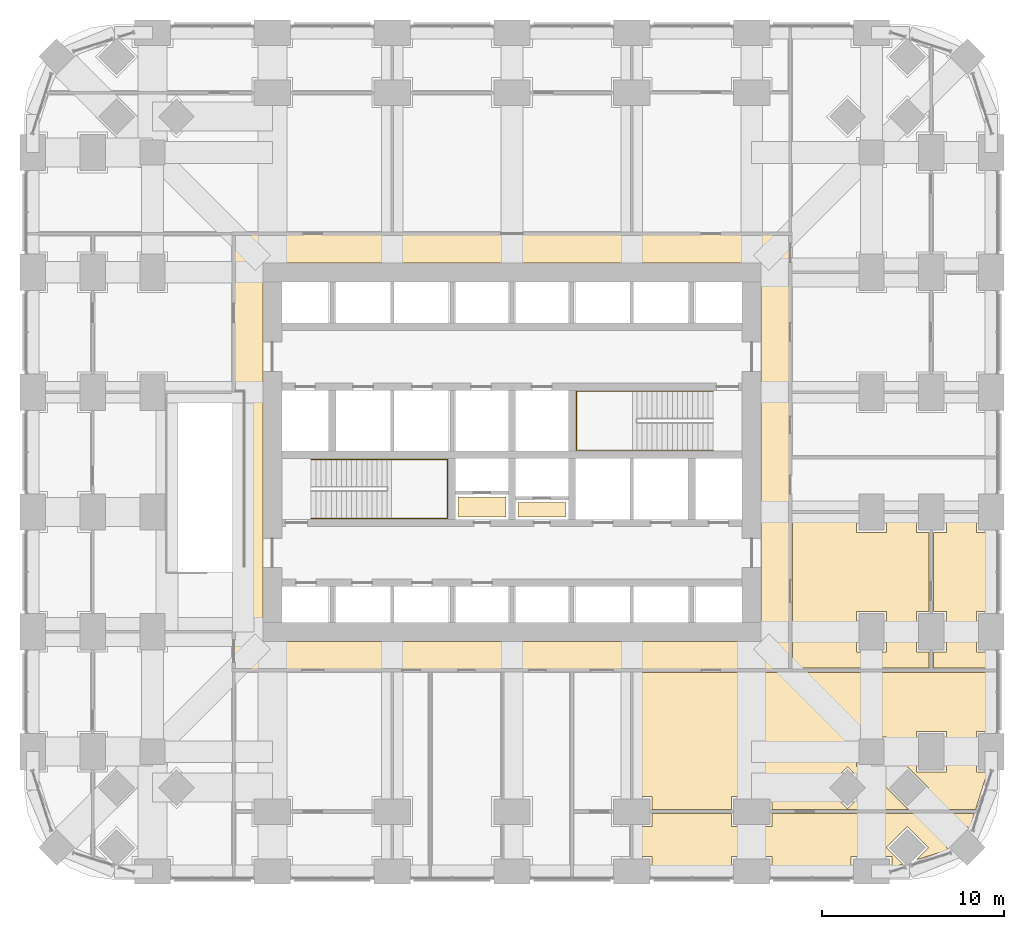
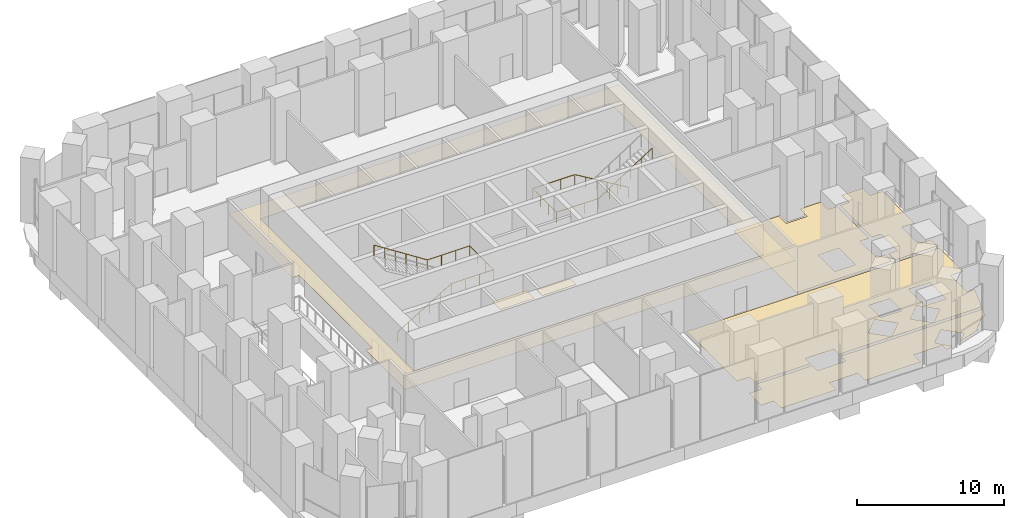
# One storey, part 16 of 17: 7 coverings, 2 railings.
"""IFC4 building model written with IfcOpenShell, lengths in metres."""

from ifc_helpers import new_model, si_unit, direction, frame, origin, place, context, subcontext, project, spatial, polyline, outline, extrude, material, layer, layer_set, type_object, element, save


model = new_model("IFC4")

# Units and contexts
model_context = context("Model", 3, precision=1e-05, world=origin(), true_north=direction((0.0, 1.0)))
body_context = subcontext(model_context, "Body", "Model", "MODEL_VIEW")
ifc_project = project(units=[si_unit("LENGTHUNIT", "METRE"), si_unit("AREAUNIT", "SQUARE_METRE"), si_unit("VOLUMEUNIT", "CUBIC_METRE"), si_unit("PLANEANGLEUNIT", "RADIAN"), si_unit("MASSUNIT", "GRAM", prefix="KILO")], contexts=[model_context])

# Site, building, storey
site_placement = place(None, origin())
site = spatial("IfcSite", under=ifc_project, at=site_placement, CompositionType="ELEMENT")
building_placement = place(site_placement, origin())
building = spatial("IfcBuilding", under=site, at=building_placement, Name="Cobogo Forest Laboratory Tower", CompositionType="ELEMENT")
storey_placement = place(building_placement, frame((0.0, 0.0, 7.199951171875)))
storey = spatial("IfcBuildingStorey", under=building, at=storey_placement, Name="L01", CompositionType="ELEMENT", Elevation=7.199951171875)

# Coverings
ifc_material_1 = material(Name="Mineral fibre ceiling tile", Category="ceiling")
ifc_layer_1 = layer(ifc_material_1, 0.02001953125)
ifc_layer_set_1 = layer_set([ifc_layer_1], Name="CL1 suspended ceiling")
covering_type_1 = type_object("IfcCoveringType", Name="CL1 suspended ceiling", PredefinedType="CEILING", material=ifc_layer_set_1)
covering_1_placement = place(storey_placement, frame((0.0, 0.0, 2.800048828125)))
element("IfcCovering", 1, at=covering_1_placement, inside=storey, type_object=covering_type_1, Name="Corridor ceiling L01", PredefinedType="CEILING", context=body_context, shape_type="SweptSolid", body=[
    extrude(outline(polyline([(11.074951171875, 16.5), (11.60009765625, 16.5), (11.60009765625, 26.39990234375), (11.074951171875, 26.39990234375), (11.074951171875, 35.125), (41.72509765625, 35.125), (41.72509765625, 11.074951171875), (11.074951171875, 11.074951171875), (11.074951171875, 16.5)]), holes=[polyline([(12.675048828125, 33.52490234375), (12.675048828125, 12.675048828125), (40.125, 12.675048828125), (40.125, 33.52490234375), (12.675048828125, 33.52490234375)])]), origin(), (0.0, 0.0, 1.0), 0.02001953125),
])
ifc_material_2 = material(Name="Carpet tile on raised access floor", Category="flooring")
ifc_layer_2 = layer(ifc_material_2, 0.008056640625)
ifc_layer_set_2 = layer_set([ifc_layer_2], Name="CT1 carpet tile floor 8")
covering_type_2 = type_object("IfcCoveringType", Name="CT1 carpet tile floor 8", PredefinedType="FLOORING", material=ifc_layer_set_2)
covering_2_placement = place(storey_placement, origin())
element("IfcCovering", 2, at=covering_2_placement, inside=storey, type_object=covering_type_2, Name="Carpet floor L01-09", PredefinedType="FLOORING", context=body_context, shape_type="SweptSolid", body=[
    extrude(outline(polyline([(38.47998046875, 3.179931640625), (38.47998046875, 2.47998046875), (40.719970703125, 2.47998046875), (40.719970703125, 3.179931640625), (51.8603515625, 3.179931640625), (51.600830078125, 2.358642578125), (51.48193359375, 2.477783203125), (50.322265625, 1.318115234375), (50.441162109375, 1.19921875), (48.660400390625, 0.63671875), (49.341552734375, 1.318115234375), (48.181884765625, 2.477783203125), (47.022216796875, 1.318115234375), (47.933349609375, 0.406982421875), (47.320068359375, 0.21337890625), (47.320068359375, 0.820068359375), (45.080078125, 0.820068359375), (45.080078125, -0.14990234375), (40.719970703125, -0.14990234375), (40.719970703125, 0.820068359375), (38.47998046875, 0.820068359375), (38.47998046875, -0.14990234375), (34.1201171875, -0.14990234375), (34.1201171875, 0.820068359375), (33.1201171875, 0.820068359375), (33.1201171875, 2.47998046875), (34.1201171875, 2.47998046875), (34.1201171875, 3.179931640625), (38.47998046875, 3.179931640625)])), origin(), (0.0, 0.0, 1.0), 0.008056640625),
])
covering_3_placement = place(storey_placement, origin())
element("IfcCovering", 3, at=covering_3_placement, inside=storey, type_object=covering_type_2, Name="Carpet floor L01-11", PredefinedType="FLOORING", context=body_context, shape_type="SweptSolid", body=[
    extrude(outline(polyline([(49.6201171875, 12.080078125), (50.320068359375, 12.080078125), (50.320068359375, 14.320068359375), (49.6201171875, 14.320068359375), (49.6201171875, 18.679931640625), (50.320068359375, 18.679931640625), (50.320068359375, 19.679931640625), (51.97998046875, 19.679931640625), (51.97998046875, 18.679931640625), (52.949951171875, 18.679931640625), (52.949951171875, 14.320068359375), (51.97998046875, 14.320068359375), (51.97998046875, 12.080078125), (52.949951171875, 12.080078125), (52.949951171875, 11.195068359375), (49.6201171875, 11.195068359375), (49.6201171875, 12.080078125)])), origin(), (0.0, 0.0, 1.0), 0.008056640625),
])
covering_4_placement = place(storey_placement, origin())
element("IfcCovering", 4, at=covering_4_placement, inside=storey, type_object=covering_type_2, Name="Carpet floor L01-34", PredefinedType="FLOORING", context=body_context, shape_type="SweptSolid", body=[
    extrude(outline(polyline([(26.080078125, 19.52001953125), (23.419921875, 19.52001953125), (23.419921875, 20.6298828125), (26.080078125, 20.6298828125), (26.080078125, 19.52001953125)])), origin(), (0.0, 0.0, 1.0), 0.008056640625),
])
covering_5_placement = place(storey_placement, origin())
element("IfcCovering", 5, at=covering_5_placement, inside=storey, type_object=covering_type_2, Name="Carpet floor L01-36", PredefinedType="FLOORING", context=body_context, shape_type="SweptSolid", body=[
    extrude(outline(polyline([(29.3798828125, 19.52001953125), (26.719970703125, 19.52001953125), (26.719970703125, 20.330078125), (29.3798828125, 20.330078125), (29.3798828125, 19.52001953125)])), origin(), (0.0, 0.0, 1.0), 0.008056640625),
])

# Railings
ifc_material_3 = material(Name="Stainless steel handrail", Category="steel")
railing_type = type_object("IfcRailingType", Name="HR handrail 900", PredefinedType="HANDRAIL", material=ifc_material_3)
railing_1_placement = place(storey_placement, frame((15.324951171875, 19.449951171875, 0.168701171875)))
element("IfcRailing", 6, at=railing_1_placement, inside=storey, type_object=railing_type, Name="Stair handrail ST1 L01", PredefinedType="HANDRAIL", context=body_context, shape_type="SweptSolid", body=[
    extrude(outline(polyline([(0.022216796875, 0.00927734375), (0.00927734375, 0.022216796875), (-0.00927734375, 0.022216796875), (-0.022216796875, 0.00927734375), (-0.022216796875, -0.00927734375), (-0.00927734375, -0.022216796875), (0.00927734375, -0.022216796875), (0.022216796875, -0.00927734375), (0.022216796875, 0.00927734375)])), frame((0.0, 0.0, 0.877685546875), z_axis=(0.856476492594, 0.0, 0.516186030065), x_axis=(0.0, 1.0, 0.0)), (0.0, 0.0, 1.0), 4.90380859375),
    extrude(outline(polyline([(0.022216796875, 0.00927734375), (0.00927734375, 0.022216796875), (-0.00927734375, 0.022216796875), (-0.022216796875, 0.00927734375), (-0.022216796875, -0.00927734375), (-0.00927734375, -0.022216796875), (0.00927734375, -0.022216796875), (0.022216796875, -0.00927734375), (0.022216796875, 0.00927734375)])), frame((4.199951171875, 0.0, 3.408935546875), z_axis=(1.0, 0.0, 0.0), x_axis=(0.0, 1.0, 0.0)), (0.0, 0.0, 1.0), 3.3251953125),
    extrude(outline(polyline([(0.022216796875, 0.00927734375), (0.00927734375, 0.022216796875), (-0.00927734375, 0.022216796875), (-0.022216796875, 0.00927734375), (-0.022216796875, -0.00927734375), (-0.00927734375, -0.022216796875), (0.00927734375, -0.022216796875), (0.022216796875, -0.00927734375), (0.022216796875, 0.00927734375)])), frame((7.525146484375, 0.0, 3.408935546875), z_axis=(0.0, 1.0, 0.0), x_axis=(-1.0, 0.0, 0.0)), (0.0, 0.0, 1.0), 3.25),
    extrude(outline(polyline([(0.022216796875, 0.00927734375), (0.00927734375, 0.022216796875), (-0.00927734375, 0.022216796875), (-0.022216796875, 0.00927734375), (-0.022216796875, -0.00927734375), (-0.00927734375, -0.022216796875), (0.00927734375, -0.022216796875), (0.022216796875, -0.00927734375), (0.022216796875, 0.00927734375)])), frame((7.525146484375, 3.25, 3.408935546875), z_axis=(-1.0, 0.0, 0.0), x_axis=(0.0, -1.0, 0.0)), (0.0, 0.0, 1.0), 3.3251953125),
    extrude(outline(polyline([(0.022216796875, 0.00927734375), (0.00927734375, 0.022216796875), (-0.00927734375, 0.022216796875), (-0.022216796875, 0.00927734375), (-0.022216796875, -0.00927734375), (-0.00927734375, -0.022216796875), (0.00927734375, -0.022216796875), (0.022216796875, -0.00927734375), (0.022216796875, 0.00927734375)])), frame((4.199951171875, 3.25, 3.408935546875), z_axis=(-0.841157821942, 0.0, 0.54078971753), x_axis=(0.0, -1.0, 0.0)), (0.0, 0.0, 1.0), 4.9931640625),
    extrude(outline(polyline([(0.019287109375, 0.008056640625), (0.008056640625, 0.019287109375), (-0.008056640625, 0.019287109375), (-0.019287109375, 0.008056640625), (-0.019287109375, -0.008056640625), (-0.008056640625, -0.019287109375), (0.008056640625, -0.019287109375), (0.019287109375, -0.008056640625), (0.019287109375, 0.008056640625)])), origin(), (0.0, 0.0, 1.0), 0.877685546875),
    extrude(outline(polyline([(0.019287109375, 0.008056640625), (0.008056640625, 0.019287109375), (-0.008056640625, 0.019287109375), (-0.019287109375, 0.008056640625), (-0.019287109375, -0.008056640625), (-0.008056640625, -0.019287109375), (0.008056640625, -0.019287109375), (0.019287109375, -0.008056640625), (0.019287109375, 0.008056640625)])), frame((0.840087890625, 0.0, 0.50634765625)), (0.0, 0.0, 1.0), 0.877685546875),
    extrude(outline(polyline([(0.019287109375, 0.008056640625), (0.008056640625, 0.019287109375), (-0.008056640625, 0.019287109375), (-0.019287109375, 0.008056640625), (-0.019287109375, -0.008056640625), (-0.008056640625, -0.019287109375), (0.008056640625, -0.019287109375), (0.019287109375, -0.008056640625), (0.019287109375, 0.008056640625)])), frame((1.679931640625, 0.0, 1.012451171875)), (0.0, 0.0, 1.0), 0.877685546875),
    extrude(outline(polyline([(0.019287109375, 0.008056640625), (0.008056640625, 0.019287109375), (-0.008056640625, 0.019287109375), (-0.019287109375, 0.008056640625), (-0.019287109375, -0.008056640625), (-0.008056640625, -0.019287109375), (0.008056640625, -0.019287109375), (0.019287109375, -0.008056640625), (0.019287109375, 0.008056640625)])), frame((2.52001953125, 0.0, 1.518798828125)), (0.0, 0.0, 1.0), 0.877685546875),
    extrude(outline(polyline([(0.019287109375, 0.008056640625), (0.008056640625, 0.019287109375), (-0.008056640625, 0.019287109375), (-0.019287109375, 0.008056640625), (-0.019287109375, -0.008056640625), (-0.008056640625, -0.019287109375), (0.008056640625, -0.019287109375), (0.019287109375, -0.008056640625), (0.019287109375, 0.008056640625)])), frame((3.35986328125, 0.0, 2.02490234375)), (0.0, 0.0, 1.0), 0.877685546875),
    extrude(outline(polyline([(0.019287109375, 0.008056640625), (0.008056640625, 0.019287109375), (-0.008056640625, 0.019287109375), (-0.019287109375, 0.008056640625), (-0.019287109375, -0.008056640625), (-0.008056640625, -0.019287109375), (0.008056640625, -0.019287109375), (0.019287109375, -0.008056640625), (0.019287109375, 0.008056640625)])), frame((4.199951171875, 0.0, 2.53125)), (0.0, 0.0, 1.0), 0.877685546875),
    extrude(outline(polyline([(0.019287109375, 0.008056640625), (0.008056640625, 0.019287109375), (-0.008056640625, 0.019287109375), (-0.019287109375, 0.008056640625), (-0.019287109375, -0.008056640625), (-0.008056640625, -0.019287109375), (0.008056640625, -0.019287109375), (0.019287109375, -0.008056640625), (0.019287109375, 0.008056640625)])), frame((5.308349609375, 0.0, 2.53125)), (0.0, 0.0, 1.0), 0.877685546875),
    extrude(outline(polyline([(0.019287109375, 0.008056640625), (0.008056640625, 0.019287109375), (-0.008056640625, 0.019287109375), (-0.019287109375, 0.008056640625), (-0.019287109375, -0.008056640625), (-0.008056640625, -0.019287109375), (0.008056640625, -0.019287109375), (0.019287109375, -0.008056640625), (0.019287109375, 0.008056640625)])), frame((6.416748046875, 0.0, 2.53125)), (0.0, 0.0, 1.0), 0.877685546875),
    extrude(outline(polyline([(0.019287109375, 0.008056640625), (0.008056640625, 0.019287109375), (-0.008056640625, 0.019287109375), (-0.019287109375, 0.008056640625), (-0.019287109375, -0.008056640625), (-0.008056640625, -0.019287109375), (0.008056640625, -0.019287109375), (0.019287109375, -0.008056640625), (0.019287109375, 0.008056640625)])), frame((7.525146484375, 0.0, 2.53125)), (0.0, 0.0, 1.0), 0.877685546875),
    extrude(outline(polyline([(0.019287109375, 0.008056640625), (0.008056640625, 0.019287109375), (-0.008056640625, 0.019287109375), (-0.019287109375, 0.008056640625), (-0.019287109375, -0.008056640625), (-0.008056640625, -0.019287109375), (0.008056640625, -0.019287109375), (0.019287109375, -0.008056640625), (0.019287109375, 0.008056640625)])), frame((7.525146484375, 1.083251953125, 2.53125)), (0.0, 0.0, 1.0), 0.877685546875),
    extrude(outline(polyline([(0.019287109375, 0.008056640625), (0.008056640625, 0.019287109375), (-0.008056640625, 0.019287109375), (-0.019287109375, 0.008056640625), (-0.019287109375, -0.008056640625), (-0.008056640625, -0.019287109375), (0.008056640625, -0.019287109375), (0.019287109375, -0.008056640625), (0.019287109375, 0.008056640625)])), frame((7.525146484375, 2.166748046875, 2.53125)), (0.0, 0.0, 1.0), 0.877685546875),
    extrude(outline(polyline([(0.019287109375, 0.008056640625), (0.008056640625, 0.019287109375), (-0.008056640625, 0.019287109375), (-0.019287109375, 0.008056640625), (-0.019287109375, -0.008056640625), (-0.008056640625, -0.019287109375), (0.008056640625, -0.019287109375), (0.019287109375, -0.008056640625), (0.019287109375, 0.008056640625)])), frame((7.525146484375, 3.25, 2.53125)), (0.0, 0.0, 1.0), 0.877685546875),
    extrude(outline(polyline([(0.019287109375, 0.008056640625), (0.008056640625, 0.019287109375), (-0.008056640625, 0.019287109375), (-0.019287109375, 0.008056640625), (-0.019287109375, -0.008056640625), (-0.008056640625, -0.019287109375), (0.008056640625, -0.019287109375), (0.019287109375, -0.008056640625), (0.019287109375, 0.008056640625)])), frame((6.416748046875, 3.25, 2.53125)), (0.0, 0.0, 1.0), 0.877685546875),
    extrude(outline(polyline([(0.019287109375, 0.008056640625), (0.008056640625, 0.019287109375), (-0.008056640625, 0.019287109375), (-0.019287109375, 0.008056640625), (-0.019287109375, -0.008056640625), (-0.008056640625, -0.019287109375), (0.008056640625, -0.019287109375), (0.019287109375, -0.008056640625), (0.019287109375, 0.008056640625)])), frame((5.308349609375, 3.25, 2.53125)), (0.0, 0.0, 1.0), 0.877685546875),
    extrude(outline(polyline([(0.019287109375, 0.008056640625), (0.008056640625, 0.019287109375), (-0.008056640625, 0.019287109375), (-0.019287109375, 0.008056640625), (-0.019287109375, -0.008056640625), (-0.008056640625, -0.019287109375), (0.008056640625, -0.019287109375), (0.019287109375, -0.008056640625), (0.019287109375, 0.008056640625)])), frame((4.199951171875, 3.25, 2.53125)), (0.0, 0.0, 1.0), 0.877685546875),
    extrude(outline(polyline([(0.019287109375, 0.008056640625), (0.008056640625, 0.019287109375), (-0.008056640625, 0.019287109375), (-0.019287109375, 0.008056640625), (-0.019287109375, -0.008056640625), (-0.008056640625, -0.019287109375), (0.008056640625, -0.019287109375), (0.019287109375, -0.008056640625), (0.019287109375, 0.008056640625)])), frame((3.35986328125, 3.25, 3.0712890625)), (0.0, 0.0, 1.0), 0.877685546875),
    extrude(outline(polyline([(0.019287109375, 0.008056640625), (0.008056640625, 0.019287109375), (-0.008056640625, 0.019287109375), (-0.019287109375, 0.008056640625), (-0.019287109375, -0.008056640625), (-0.008056640625, -0.019287109375), (0.008056640625, -0.019287109375), (0.019287109375, -0.008056640625), (0.019287109375, 0.008056640625)])), frame((2.52001953125, 3.25, 3.611328125)), (0.0, 0.0, 1.0), 0.877685546875),
    extrude(outline(polyline([(0.019287109375, 0.008056640625), (0.008056640625, 0.019287109375), (-0.008056640625, 0.019287109375), (-0.019287109375, 0.008056640625), (-0.019287109375, -0.008056640625), (-0.008056640625, -0.019287109375), (0.008056640625, -0.019287109375), (0.019287109375, -0.008056640625), (0.019287109375, 0.008056640625)])), frame((1.679931640625, 3.25, 4.1513671875)), (0.0, 0.0, 1.0), 0.877685546875),
    extrude(outline(polyline([(0.019287109375, 0.008056640625), (0.008056640625, 0.019287109375), (-0.008056640625, 0.019287109375), (-0.019287109375, 0.008056640625), (-0.019287109375, -0.008056640625), (-0.008056640625, -0.019287109375), (0.008056640625, -0.019287109375), (0.019287109375, -0.008056640625), (0.019287109375, 0.008056640625)])), frame((0.840087890625, 3.25, 4.69140625)), (0.0, 0.0, 1.0), 0.877685546875),
    extrude(outline(polyline([(0.019287109375, 0.008056640625), (0.008056640625, 0.019287109375), (-0.008056640625, 0.019287109375), (-0.019287109375, 0.008056640625), (-0.019287109375, -0.008056640625), (-0.008056640625, -0.019287109375), (0.008056640625, -0.019287109375), (0.019287109375, -0.008056640625), (0.019287109375, 0.008056640625)])), frame((0.0, 3.25, 5.2314453125)), (0.0, 0.0, 1.0), 0.877685546875),
])
railing_2_placement = place(storey_placement, frame((37.47509765625, 26.449951171875, 0.168701171875)))
element("IfcRailing", 7, at=railing_2_placement, inside=storey, type_object=railing_type, Name="Stair handrail ST2 L01", PredefinedType="HANDRAIL", context=body_context, shape_type="SweptSolid", body=[
    extrude(outline(polyline([(0.022216796875, 0.00927734375), (0.00927734375, 0.022216796875), (-0.00927734375, 0.022216796875), (-0.022216796875, 0.00927734375), (-0.022216796875, -0.00927734375), (-0.00927734375, -0.022216796875), (0.00927734375, -0.022216796875), (0.022216796875, -0.00927734375), (0.022216796875, 0.00927734375)])), frame((0.0, 0.0, 0.877685546875), z_axis=(-0.856489757249, 0.0, 0.516164020179), x_axis=(0.0, -1.0, 0.0)), (0.0, 0.0, 1.0), 4.904052734375),
    extrude(outline(polyline([(0.022216796875, 0.00927734375), (0.00927734375, 0.022216796875), (-0.00927734375, 0.022216796875), (-0.022216796875, 0.00927734375), (-0.022216796875, -0.00927734375), (-0.00927734375, -0.022216796875), (0.00927734375, -0.022216796875), (0.022216796875, -0.00927734375), (0.022216796875, 0.00927734375)])), frame((-4.2001953125, 0.0, 3.408935546875), z_axis=(-1.0, 0.0, 0.0), x_axis=(0.0, -1.0, 0.0)), (0.0, 0.0, 1.0), 3.324951171875),
    extrude(outline(polyline([(0.022216796875, 0.00927734375), (0.00927734375, 0.022216796875), (-0.00927734375, 0.022216796875), (-0.022216796875, 0.00927734375), (-0.022216796875, -0.00927734375), (-0.00927734375, -0.022216796875), (0.00927734375, -0.022216796875), (0.022216796875, -0.00927734375), (0.022216796875, 0.00927734375)])), frame((-7.525146484375, 0.0, 3.408935546875), z_axis=(0.0, -1.0, 0.0), x_axis=(1.0, 0.0, 0.0)), (0.0, 0.0, 1.0), 3.25),
    extrude(outline(polyline([(0.022216796875, 0.00927734375), (0.00927734375, 0.022216796875), (-0.00927734375, 0.022216796875), (-0.022216796875, 0.00927734375), (-0.022216796875, -0.00927734375), (-0.00927734375, -0.022216796875), (0.00927734375, -0.022216796875), (0.022216796875, -0.00927734375), (0.022216796875, 0.00927734375)])), frame((-7.525146484375, -3.25, 3.408935546875), z_axis=(1.0, 0.0, 0.0), x_axis=(0.0, 1.0, 0.0)), (0.0, 0.0, 1.0), 3.324951171875),
    extrude(outline(polyline([(0.022216796875, 0.00927734375), (0.00927734375, 0.022216796875), (-0.00927734375, 0.022216796875), (-0.022216796875, 0.00927734375), (-0.022216796875, -0.00927734375), (-0.00927734375, -0.022216796875), (0.00927734375, -0.022216796875), (0.022216796875, -0.00927734375), (0.022216796875, 0.00927734375)])), frame((-4.2001953125, -3.25, 3.408935546875), z_axis=(0.841172120866, 0.0, 0.540767475981), x_axis=(0.0, 1.0, 0.0)), (0.0, 0.0, 1.0), 4.9931640625),
    extrude(outline(polyline([(0.019287109375, 0.008056640625), (0.008056640625, 0.019287109375), (-0.008056640625, 0.019287109375), (-0.019287109375, 0.008056640625), (-0.019287109375, -0.008056640625), (-0.008056640625, -0.019287109375), (0.008056640625, -0.019287109375), (0.019287109375, -0.008056640625), (0.019287109375, 0.008056640625)])), origin(), (0.0, 0.0, 1.0), 0.877685546875),
    extrude(outline(polyline([(0.019287109375, 0.008056640625), (0.008056640625, 0.019287109375), (-0.008056640625, 0.019287109375), (-0.019287109375, 0.008056640625), (-0.019287109375, -0.008056640625), (-0.008056640625, -0.019287109375), (0.008056640625, -0.019287109375), (0.019287109375, -0.008056640625), (0.019287109375, 0.008056640625)])), frame((-0.840087890625, 0.0, 0.50634765625)), (0.0, 0.0, 1.0), 0.877685546875),
    extrude(outline(polyline([(0.019287109375, 0.008056640625), (0.008056640625, 0.019287109375), (-0.008056640625, 0.019287109375), (-0.019287109375, 0.008056640625), (-0.019287109375, -0.008056640625), (-0.008056640625, -0.019287109375), (0.008056640625, -0.019287109375), (0.019287109375, -0.008056640625), (0.019287109375, 0.008056640625)])), frame((-1.68017578125, 0.0, 1.012451171875)), (0.0, 0.0, 1.0), 0.877685546875),
    extrude(outline(polyline([(0.019287109375, 0.008056640625), (0.008056640625, 0.019287109375), (-0.008056640625, 0.019287109375), (-0.019287109375, 0.008056640625), (-0.019287109375, -0.008056640625), (-0.008056640625, -0.019287109375), (0.008056640625, -0.019287109375), (0.019287109375, -0.008056640625), (0.019287109375, 0.008056640625)])), frame((-2.52001953125, 0.0, 1.518798828125)), (0.0, 0.0, 1.0), 0.877685546875),
    extrude(outline(polyline([(0.019287109375, 0.008056640625), (0.008056640625, 0.019287109375), (-0.008056640625, 0.019287109375), (-0.019287109375, 0.008056640625), (-0.019287109375, -0.008056640625), (-0.008056640625, -0.019287109375), (0.008056640625, -0.019287109375), (0.019287109375, -0.008056640625), (0.019287109375, 0.008056640625)])), frame((-3.360107421875, 0.0, 2.02490234375)), (0.0, 0.0, 1.0), 0.877685546875),
    extrude(outline(polyline([(0.019287109375, 0.008056640625), (0.008056640625, 0.019287109375), (-0.008056640625, 0.019287109375), (-0.019287109375, 0.008056640625), (-0.019287109375, -0.008056640625), (-0.008056640625, -0.019287109375), (0.008056640625, -0.019287109375), (0.019287109375, -0.008056640625), (0.019287109375, 0.008056640625)])), frame((-4.2001953125, 0.0, 2.53125)), (0.0, 0.0, 1.0), 0.877685546875),
    extrude(outline(polyline([(0.019287109375, 0.008056640625), (0.008056640625, 0.019287109375), (-0.008056640625, 0.019287109375), (-0.019287109375, 0.008056640625), (-0.019287109375, -0.008056640625), (-0.008056640625, -0.019287109375), (0.008056640625, -0.019287109375), (0.019287109375, -0.008056640625), (0.019287109375, 0.008056640625)])), frame((-5.30859375, 0.0, 2.53125)), (0.0, 0.0, 1.0), 0.877685546875),
    extrude(outline(polyline([(0.019287109375, 0.008056640625), (0.008056640625, 0.019287109375), (-0.008056640625, 0.019287109375), (-0.019287109375, 0.008056640625), (-0.019287109375, -0.008056640625), (-0.008056640625, -0.019287109375), (0.008056640625, -0.019287109375), (0.019287109375, -0.008056640625), (0.019287109375, 0.008056640625)])), frame((-6.416748046875, 0.0, 2.53125)), (0.0, 0.0, 1.0), 0.877685546875),
    extrude(outline(polyline([(0.019287109375, 0.008056640625), (0.008056640625, 0.019287109375), (-0.008056640625, 0.019287109375), (-0.019287109375, 0.008056640625), (-0.019287109375, -0.008056640625), (-0.008056640625, -0.019287109375), (0.008056640625, -0.019287109375), (0.019287109375, -0.008056640625), (0.019287109375, 0.008056640625)])), frame((-7.525146484375, 0.0, 2.53125)), (0.0, 0.0, 1.0), 0.877685546875),
    extrude(outline(polyline([(0.019287109375, 0.008056640625), (0.008056640625, 0.019287109375), (-0.008056640625, 0.019287109375), (-0.019287109375, 0.008056640625), (-0.019287109375, -0.008056640625), (-0.008056640625, -0.019287109375), (0.008056640625, -0.019287109375), (0.019287109375, -0.008056640625), (0.019287109375, 0.008056640625)])), frame((-7.525146484375, -1.083251953125, 2.53125)), (0.0, 0.0, 1.0), 0.877685546875),
    extrude(outline(polyline([(0.019287109375, 0.008056640625), (0.008056640625, 0.019287109375), (-0.008056640625, 0.019287109375), (-0.019287109375, 0.008056640625), (-0.019287109375, -0.008056640625), (-0.008056640625, -0.019287109375), (0.008056640625, -0.019287109375), (0.019287109375, -0.008056640625), (0.019287109375, 0.008056640625)])), frame((-7.525146484375, -2.166748046875, 2.53125)), (0.0, 0.0, 1.0), 0.877685546875),
    extrude(outline(polyline([(0.019287109375, 0.008056640625), (0.008056640625, 0.019287109375), (-0.008056640625, 0.019287109375), (-0.019287109375, 0.008056640625), (-0.019287109375, -0.008056640625), (-0.008056640625, -0.019287109375), (0.008056640625, -0.019287109375), (0.019287109375, -0.008056640625), (0.019287109375, 0.008056640625)])), frame((-7.525146484375, -3.25, 2.53125)), (0.0, 0.0, 1.0), 0.877685546875),
    extrude(outline(polyline([(0.019287109375, 0.008056640625), (0.008056640625, 0.019287109375), (-0.008056640625, 0.019287109375), (-0.019287109375, 0.008056640625), (-0.019287109375, -0.008056640625), (-0.008056640625, -0.019287109375), (0.008056640625, -0.019287109375), (0.019287109375, -0.008056640625), (0.019287109375, 0.008056640625)])), frame((-6.416748046875, -3.25, 2.53125)), (0.0, 0.0, 1.0), 0.877685546875),
    extrude(outline(polyline([(0.019287109375, 0.008056640625), (0.008056640625, 0.019287109375), (-0.008056640625, 0.019287109375), (-0.019287109375, 0.008056640625), (-0.019287109375, -0.008056640625), (-0.008056640625, -0.019287109375), (0.008056640625, -0.019287109375), (0.019287109375, -0.008056640625), (0.019287109375, 0.008056640625)])), frame((-5.30859375, -3.25, 2.53125)), (0.0, 0.0, 1.0), 0.877685546875),
    extrude(outline(polyline([(0.019287109375, 0.008056640625), (0.008056640625, 0.019287109375), (-0.008056640625, 0.019287109375), (-0.019287109375, 0.008056640625), (-0.019287109375, -0.008056640625), (-0.008056640625, -0.019287109375), (0.008056640625, -0.019287109375), (0.019287109375, -0.008056640625), (0.019287109375, 0.008056640625)])), frame((-4.2001953125, -3.25, 2.53125)), (0.0, 0.0, 1.0), 0.877685546875),
    extrude(outline(polyline([(0.019287109375, 0.008056640625), (0.008056640625, 0.019287109375), (-0.008056640625, 0.019287109375), (-0.019287109375, 0.008056640625), (-0.019287109375, -0.008056640625), (-0.008056640625, -0.019287109375), (0.008056640625, -0.019287109375), (0.019287109375, -0.008056640625), (0.019287109375, 0.008056640625)])), frame((-3.360107421875, -3.25, 3.0712890625)), (0.0, 0.0, 1.0), 0.877685546875),
    extrude(outline(polyline([(0.019287109375, 0.008056640625), (0.008056640625, 0.019287109375), (-0.008056640625, 0.019287109375), (-0.019287109375, 0.008056640625), (-0.019287109375, -0.008056640625), (-0.008056640625, -0.019287109375), (0.008056640625, -0.019287109375), (0.019287109375, -0.008056640625), (0.019287109375, 0.008056640625)])), frame((-2.52001953125, -3.25, 3.611328125)), (0.0, 0.0, 1.0), 0.877685546875),
    extrude(outline(polyline([(0.019287109375, 0.008056640625), (0.008056640625, 0.019287109375), (-0.008056640625, 0.019287109375), (-0.019287109375, 0.008056640625), (-0.019287109375, -0.008056640625), (-0.008056640625, -0.019287109375), (0.008056640625, -0.019287109375), (0.019287109375, -0.008056640625), (0.019287109375, 0.008056640625)])), frame((-1.68017578125, -3.25, 4.1513671875)), (0.0, 0.0, 1.0), 0.877685546875),
    extrude(outline(polyline([(0.019287109375, 0.008056640625), (0.008056640625, 0.019287109375), (-0.008056640625, 0.019287109375), (-0.019287109375, 0.008056640625), (-0.019287109375, -0.008056640625), (-0.008056640625, -0.019287109375), (0.008056640625, -0.019287109375), (0.019287109375, -0.008056640625), (0.019287109375, 0.008056640625)])), frame((-0.840087890625, -3.25, 4.69140625)), (0.0, 0.0, 1.0), 0.877685546875),
    extrude(outline(polyline([(0.019287109375, 0.008056640625), (0.008056640625, 0.019287109375), (-0.008056640625, 0.019287109375), (-0.019287109375, 0.008056640625), (-0.019287109375, -0.008056640625), (-0.008056640625, -0.019287109375), (0.008056640625, -0.019287109375), (0.019287109375, -0.008056640625), (0.019287109375, 0.008056640625)])), frame((0.0, -3.25, 5.2314453125)), (0.0, 0.0, 1.0), 0.877685546875),
])

# Coverings
ifc_material_4 = material(Name="Epoxy resin flooring", Category="flooring")
ifc_layer_3 = layer(ifc_material_4, 0.00390625)
ifc_layer_set_3 = layer_set([ifc_layer_3], Name="LF1 epoxy laboratory floor 4")
covering_type_3 = type_object("IfcCoveringType", Name="LF1 epoxy laboratory floor 4", PredefinedType="FLOORING", material=ifc_layer_set_3)
covering_6_placement = place(storey_placement, origin())
element("IfcCovering", 8, at=covering_6_placement, inside=storey, type_object=covering_type_3, Name="Epoxy laboratory floor L01-08", PredefinedType="FLOORING", context=body_context, shape_type="SweptSolid", body=[
    extrude(outline(polyline([(33.1201171875, 10.955078125), (52.949951171875, 10.955078125), (52.949951171875, 7.719970703125), (51.97998046875, 7.719970703125), (51.97998046875, 5.47998046875), (52.586669921875, 5.47998046875), (51.93603515625, 3.419921875), (40.719970703125, 3.419921875), (40.719970703125, 4.1201171875), (38.47998046875, 4.1201171875), (38.47998046875, 3.419921875), (34.1201171875, 3.419921875), (34.1201171875, 4.1201171875), (33.1201171875, 4.1201171875), (33.1201171875, 10.955078125)]), holes=[polyline([(48.679931640625, 5.47998046875), (50.320068359375, 5.47998046875), (50.320068359375, 7.719970703125), (48.679931640625, 7.719970703125), (48.679931640625, 5.47998046875)]), polyline([(48.181884765625, 5.777587890625), (47.022216796875, 4.617919921875), (48.181884765625, 3.458251953125), (49.341552734375, 4.617919921875), (48.181884765625, 5.777587890625)]), polyline([(45.3798828125, 7.419921875), (45.3798828125, 5.780029296875), (47.02001953125, 5.780029296875), (47.02001953125, 7.419921875), (45.3798828125, 7.419921875)]), polyline([(44.882080078125, 5.777587890625), (43.722412109375, 4.617919921875), (44.882080078125, 3.458251953125), (46.041748046875, 4.617919921875), (44.882080078125, 5.777587890625)])]), origin(), (0.0, 0.0, 1.0), 0.004150390625),
])
covering_7_placement = place(storey_placement, origin())
element("IfcCovering", 9, at=covering_7_placement, inside=storey, type_object=covering_type_3, Name="Epoxy laboratory floor L01-10", PredefinedType="FLOORING", context=body_context, shape_type="SweptSolid", body=[
    extrude(outline(polyline([(41.844970703125, 19.679931640625), (45.3798828125, 19.679931640625), (45.3798828125, 18.679931640625), (47.02001953125, 18.679931640625), (47.02001953125, 19.679931640625), (48.679931640625, 19.679931640625), (48.679931640625, 18.679931640625), (49.3798828125, 18.679931640625), (49.3798828125, 14.320068359375), (48.679931640625, 14.320068359375), (48.679931640625, 12.080078125), (49.3798828125, 12.080078125), (49.3798828125, 11.195068359375), (41.844970703125, 11.195068359375), (41.844970703125, 19.679931640625)]), holes=[polyline([(45.3798828125, 12.080078125), (47.02001953125, 12.080078125), (47.02001953125, 14.320068359375), (45.3798828125, 14.320068359375), (45.3798828125, 12.080078125)])]), origin(), (0.0, 0.0, 1.0), 0.004150390625),
])

save(model, "model.ifc")
